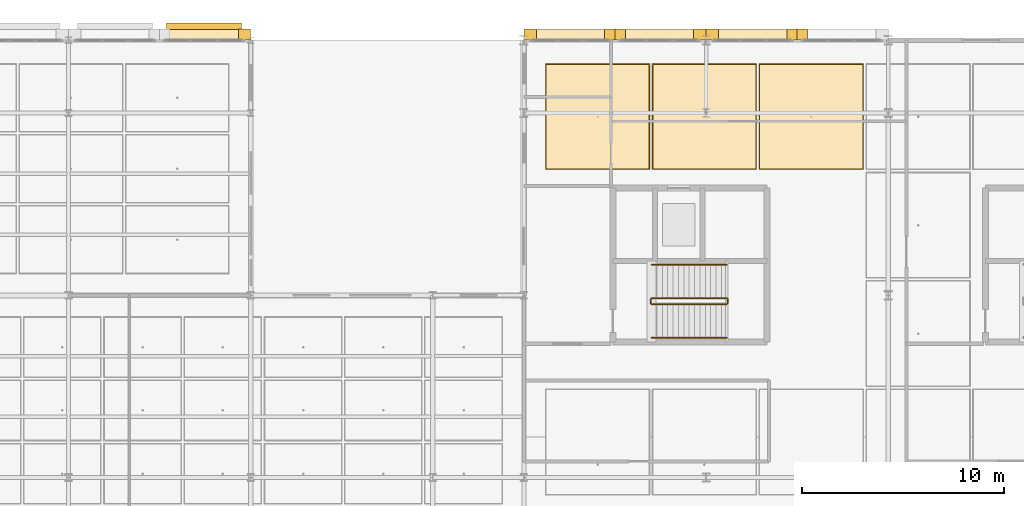
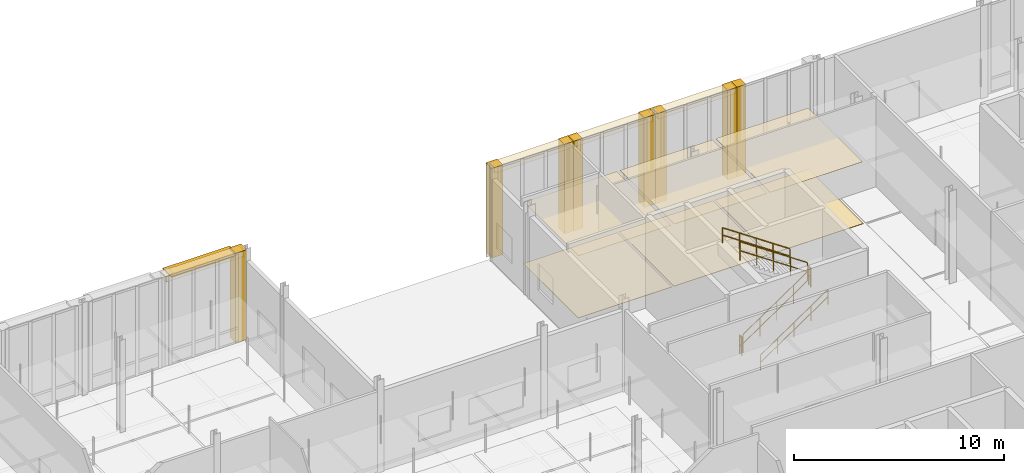
# One storey, part 176 of 180: 18 coverings, 6 railings, 1 shading device.
"""IFC4 building model written with IfcOpenShell, lengths in metres."""

from ifc_helpers import new_model, si_unit, direction, frame, origin, origin_2d, place, context, subcontext, project, spatial, rectangle, circle, extrude, material, layer, layer_set, type_object, element, save


model = new_model("IFC4")

# Units and contexts
model_context = context("Model", 3, precision=1e-05, world=origin(), true_north=direction((0.0, 1.0)))
body_context = subcontext(model_context, "Body", "Model", "MODEL_VIEW")
ifc_project = project(units=[si_unit("LENGTHUNIT", "METRE"), si_unit("AREAUNIT", "SQUARE_METRE"), si_unit("VOLUMEUNIT", "CUBIC_METRE"), si_unit("PLANEANGLEUNIT", "RADIAN"), si_unit("MASSUNIT", "GRAM", prefix="KILO"), si_unit("THERMODYNAMICTEMPERATUREUNIT", "KELVIN"), si_unit("POWERUNIT", "WATT")], contexts=[model_context])

# Site, building, storey
site_placement = place(None, origin())
site = spatial("IfcSite", under=ifc_project, at=site_placement, CompositionType="ELEMENT")
building_placement = place(site_placement, origin())
building = spatial("IfcBuilding", under=site, at=building_placement, Name="Tallowbark Science Centre", CompositionType="ELEMENT")
storey_placement = place(building_placement, origin())
storey = spatial("IfcBuildingStorey", under=building, at=storey_placement, Name="L00", CompositionType="ELEMENT", Elevation=0.0)

# Coverings
ifc_material_1 = material(Name="Mineral-Fibre Acoustic Ceiling Tile Grid")
ifc_layer_1 = layer(ifc_material_1, 0.01806640625)
ifc_layer_set_1 = layer_set([ifc_layer_1], Name="Mineral-Fibre Acoustic Ceiling Tile Grid")
covering_type_1 = type_object("IfcCoveringType", Name="CLG-ACT-18", PredefinedType="CEILING", material=ifc_layer_set_1)
for number, where, z_axis, x_axis, name in (
    (1, (116.138916015625, 107.8212890625, 3.591064453125), (0.0, 0.0, 1.0), (1.0, 0.0, 0.0), "Suspended Ceiling L00-422"),
    (2, (121.416748046875, 107.8212890625, 3.591064453125), (0.0, 0.0, 1.0), (1.0, 0.0, 0.0), "Suspended Ceiling L00-424"),
    (3, (126.6943359375, 107.8212890625, 3.591064453125), (0.0, 0.0, 1.0), (1.0, 0.0, 0.0), "Suspended Ceiling L00-426"),
):
    element("IfcCovering", number, at=place(storey_placement, frame(where, z_axis=z_axis, x_axis=x_axis)), inside=storey, type_object=covering_type_1, Name=name, PredefinedType="CEILING", context=body_context, shape_type="SweptSolid", body=[
        extrude(rectangle(XDim=5.097900390625, YDim=5.177001953125, at=origin_2d()), origin(), (0.0, 0.0, 1.0), 0.01806640625),
    ])
ifc_material_2 = material(Name="White Architectural Precast Concrete Grade N40 (40 MPa)", Category="concrete")
ifc_layer_2 = layer(ifc_material_2, 0.1201171875)
ifc_layer_set_2 = layer_set([ifc_layer_2], Name="White Architectural Precast Concrete Grade N40 (40 MPa)")
covering_type_2 = type_object("IfcCoveringType", Name="COV-PRC-CLAD", PredefinedType="CLADDING", material=ifc_layer_set_2)
for number, where, z_axis, x_axis, name in (
    (4, (98.695068359375, 111.8798828125, 0.0), (0.0, 0.0, 1.0), (-1.0, 0.0, 0.0), "Postmodern Deep Precast Pier CW-L00-036-1"),
    (5, (121.195068359375, 111.8798828125, 0.0), (0.0, 0.0, 1.0), (-1.0, 0.0, 0.0), "Postmodern Deep Precast Pier CW-L00-090-1"),
):
    element("IfcCovering", number, at=place(storey_placement, frame(where, z_axis=z_axis, x_axis=x_axis)), inside=storey, type_object=covering_type_2, Name=name, PredefinedType="CLADDING", context=body_context, shape_type="SweptSolid", body=[
        extrude(rectangle(XDim=0.610107421875, YDim=0.56005859375, at=origin_2d()), origin(), (0.0, 0.0, 1.0), 5.219970703125),
    ])
for number, where, z_axis, x_axis, name in (
    (6, (117.2548828125, 111.8798828125, 0.0), (0.0, 0.0, 1.0), (-1.0, 0.0, 0.0), "Postmodern Deep Precast Pier CW-L00-090-2"),
    (7, (116.7451171875, 111.8798828125, 0.0), (0.0, 0.0, 1.0), (-1.0, 0.0, 0.0), "Postmodern Deep Precast Pier CW-L00-091-1"),
):
    element("IfcCovering", number, at=place(storey_placement, frame(where, z_axis=z_axis, x_axis=x_axis)), inside=storey, type_object=covering_type_2, Name=name, PredefinedType="CLADDING", context=body_context, shape_type="SweptSolid", body=[
        extrude(rectangle(XDim=0.510009765625, YDim=0.56005859375, at=origin_2d()), origin(), (0.0, 0.0, 1.0), 5.219970703125),
    ])
covering_1_placement = place(storey_placement, frame((112.804931640625, 111.8798828125, 0.0), z_axis=(0.0, 0.0, 1.0), x_axis=(-1.0, 0.0, 0.0)))
element("IfcCovering", 8, at=covering_1_placement, inside=storey, type_object=covering_type_2, Name="Postmodern Deep Precast Pier CW-L00-091-2", PredefinedType="CLADDING", context=body_context, shape_type="SweptSolid", body=[
    extrude(rectangle(XDim=0.610107421875, YDim=0.56005859375, at=origin_2d()), origin(), (0.0, 0.0, 1.0), 5.219970703125),
])
for number, where, z_axis, x_axis, name in (
    (9, (126.2548828125, 111.8798828125, 0.0), (0.0, 0.0, 1.0), (-1.0, 0.0, 0.0), "Postmodern Deep Precast Pier CW-L00-094-2"),
    (10, (125.7451171875, 111.8798828125, 0.0), (0.0, 0.0, 1.0), (-1.0, 0.0, 0.0), "Postmodern Deep Precast Pier CW-L00-095-1"),
):
    element("IfcCovering", number, at=place(storey_placement, frame(where, z_axis=z_axis, x_axis=x_axis)), inside=storey, type_object=covering_type_2, Name=name, PredefinedType="CLADDING", context=body_context, shape_type="SweptSolid", body=[
        extrude(rectangle(XDim=0.510009765625, YDim=0.56005859375, at=origin_2d()), origin(), (0.0, 0.0, 1.0), 5.219970703125),
    ])
covering_2_placement = place(storey_placement, frame((121.804931640625, 111.8798828125, 0.0), z_axis=(0.0, 0.0, 1.0), x_axis=(-1.0, 0.0, 0.0)))
element("IfcCovering", 11, at=covering_2_placement, inside=storey, type_object=covering_type_2, Name="Postmodern Deep Precast Pier CW-L00-095-2", PredefinedType="CLADDING", context=body_context, shape_type="SweptSolid", body=[
    extrude(rectangle(XDim=0.610107421875, YDim=0.56005859375, at=origin_2d()), origin(), (0.0, 0.0, 1.0), 5.219970703125),
])
ifc_material_3 = material(Name="Vitrified Ochre Terracotta Architectural Rainscreen", Category="masonry")
ifc_layer_3 = layer(ifc_material_3, 0.0380859375)
ifc_layer_set_3 = layer_set([ifc_layer_3], Name="Vitrified Ochre Terracotta Architectural Rainscreen")
covering_type_3 = type_object("IfcCoveringType", Name="COV-TER-CLAD", PredefinedType="CLADDING", material=ifc_layer_set_3)
for number, where, z_axis, x_axis, name in (
    (12, (96.699951171875, 111.860107421875, 4.8701171875), (0.0, 0.0, 1.0), (-1.0, 0.0, 0.0), "Postmodern Terracotta Cornice Band CW-L00-036"),
    (13, (119.199951171875, 111.860107421875, 4.8701171875), (0.0, 0.0, 1.0), (-1.0, 0.0, 0.0), "Postmodern Terracotta Cornice Band CW-L00-090"),
    (14, (114.800048828125, 111.860107421875, 4.8701171875), (0.0, 0.0, 1.0), (-1.0, 0.0, 0.0), "Postmodern Terracotta Cornice Band CW-L00-091"),
    (15, (123.800048828125, 111.860107421875, 4.8701171875), (0.0, 0.0, 1.0), (-1.0, 0.0, 0.0), "Postmodern Terracotta Cornice Band CW-L00-095"),
):
    element("IfcCovering", number, at=place(storey_placement, frame(where, z_axis=z_axis, x_axis=x_axis)), inside=storey, type_object=covering_type_3, Name=name, PredefinedType="CLADDING", context=body_context, shape_type="SweptSolid", body=[
        extrude(rectangle(XDim=4.300048828125, YDim=0.52001953125, at=origin_2d()), origin(), (0.0, 0.0, 1.0), 0.340087890625),
    ])
ifc_material_4 = material(Name="Engineered Blackbutt Gallery Timber Flooring", Category="wood")
ifc_layer_4 = layer(ifc_material_4, 0.02197265625)
ifc_layer_set_4 = layer_set([ifc_layer_4], Name="Engineered Blackbutt Gallery Timber Flooring")
covering_type_4 = type_object("IfcCoveringType", Name="FLR-TIM-22", PredefinedType="FLOORING", material=ifc_layer_set_4)
for number, where, z_axis, x_axis, name in (
    (16, (116.138916015625, 107.8212890625, 0.0), (0.0, 0.0, 1.0), (1.0, 0.0, 0.0), "Floor Finish L00-422"),
    (17, (121.416748046875, 107.8212890625, 0.0), (0.0, 0.0, 1.0), (1.0, 0.0, 0.0), "Floor Finish L00-424"),
    (18, (126.6943359375, 107.8212890625, 0.0), (0.0, 0.0, 1.0), (1.0, 0.0, 0.0), "Floor Finish L00-426"),
):
    element("IfcCovering", number, at=place(storey_placement, frame(where, z_axis=z_axis, x_axis=x_axis)), inside=storey, type_object=covering_type_4, Name=name, PredefinedType="FLOORING", context=body_context, shape_type="SweptSolid", body=[
        extrude(rectangle(XDim=5.15771484375, YDim=5.237060546875, at=origin_2d()), origin(), (0.0, 0.0, 1.0), 0.02197265625),
    ])

# Railings
ifc_material_5 = material(Name="Galvanised Painted Steel and Laminated Glass Balustrade", Category="steel")
ifc_layer_5 = layer(ifc_material_5, 0.070068359375)
ifc_layer_set_5 = layer_set([ifc_layer_5], Name="Galvanised Painted Steel and Laminated Glass Balustrade")
railing_type_1 = type_object("IfcRailingType", Name="RLG-BAL-1150", PredefinedType="BALUSTRADE", material=ifc_layer_set_5)
railing_1_placement = place(storey_placement, frame((118.81005859375, 98.56005859375, 0.179931640625)))
element("IfcRailing", 19, at=railing_1_placement, inside=storey, type_object=railing_type_1, Name="L00 ST-05 stair guard 1", PredefinedType="BALUSTRADE", context=body_context, shape_type="SweptSolid", body=[
    extrude(circle(Radius=0.02392578125, at=origin_2d()), frame((0.0, 0.0, 1.076171875), z_axis=(0.827211917306, 0.0, 0.561890063861), x_axis=(0.0, 1.0, 0.0)), (0.0, 0.0, 1.0), 4.48486328125),
    extrude(circle(Radius=0.02392578125, at=origin_2d()), frame((0.0, 0.0, 0.550048828125), z_axis=(0.827211917306, 0.0, 0.561890063861), x_axis=(0.0, 1.0, 0.0)), (0.0, 0.0, 1.0), 4.48486328125),
    extrude(circle(Radius=0.02099609375, at=origin_2d()), origin(), (0.0, 0.0, 1.0), 1.052001953125),
    extrude(circle(Radius=0.02099609375, at=origin_2d()), frame((0.927490234375, 0.0, 0.6298828125)), (0.0, 0.0, 1.0), 1.052001953125),
    extrude(circle(Radius=0.02099609375, at=origin_2d()), frame((1.85498046875, 0.0, 1.260009765625)), (0.0, 0.0, 1.0), 1.052001953125),
    extrude(circle(Radius=0.02099609375, at=origin_2d()), frame((2.782470703125, 0.0, 1.89013671875)), (0.0, 0.0, 1.0), 1.052001953125),
    extrude(circle(Radius=0.02099609375, at=origin_2d()), frame((3.7099609375, 0.0, 2.52001953125)), (0.0, 0.0, 1.0), 1.052001953125),
])
railing_2_placement = place(storey_placement, frame((122.570068359375, 98.610107421875, 2.699951171875)))
element("IfcRailing", 20, at=railing_2_placement, inside=storey, type_object=railing_type_1, Name="L00 ST-05 stair guard 2", PredefinedType="BALUSTRADE", context=body_context, shape_type="SweptSolid", body=[
    extrude(circle(Radius=0.02392578125, at=origin_2d()), frame((0.0, 0.0, 1.076171875), z_axis=(0.0, 1.0, 0.0), x_axis=(-1.0, 0.0, 0.0)), (0.0, 0.0, 1.0), 0.199951171875),
    extrude(circle(Radius=0.02392578125, at=origin_2d()), frame((0.0, 0.0, 0.550048828125), z_axis=(0.0, 1.0, 0.0), x_axis=(-1.0, 0.0, 0.0)), (0.0, 0.0, 1.0), 0.199951171875),
    extrude(circle(Radius=0.02099609375, at=origin_2d()), origin(), (0.0, 0.0, 1.0), 1.052001953125),
    extrude(circle(Radius=0.02099609375, at=origin_2d()), frame((0.0, 0.199951171875, 0.0)), (0.0, 0.0, 1.0), 1.052001953125),
])
railing_3_placement = place(storey_placement, frame((122.52001953125, 98.860107421875, 2.8798828125)))
element("IfcRailing", 21, at=railing_3_placement, inside=storey, type_object=railing_type_1, Name="L00 ST-05 stair guard 3", PredefinedType="BALUSTRADE", context=body_context, shape_type="SweptSolid", body=[
    extrude(circle(Radius=0.02392578125, at=origin_2d()), frame((0.0, 0.0, 1.076171875), z_axis=(-0.827211917306, 0.0, 0.561890063861), x_axis=(0.0, -1.0, 0.0)), (0.0, 0.0, 1.0), 4.48486328125),
    extrude(circle(Radius=0.02392578125, at=origin_2d()), frame((0.0, 0.0, 0.550048828125), z_axis=(-0.827211917306, 0.0, 0.561890063861), x_axis=(0.0, -1.0, 0.0)), (0.0, 0.0, 1.0), 4.48486328125),
    extrude(circle(Radius=0.02099609375, at=origin_2d()), origin(), (0.0, 0.0, 1.0), 1.052001953125),
    extrude(circle(Radius=0.02099609375, at=origin_2d()), frame((-0.927490234375, 0.0, 0.6298828125)), (0.0, 0.0, 1.0), 1.052001953125),
    extrude(circle(Radius=0.02099609375, at=origin_2d()), frame((-1.85498046875, 0.0, 1.260009765625)), (0.0, 0.0, 1.0), 1.052001953125),
    extrude(circle(Radius=0.02099609375, at=origin_2d()), frame((-2.782470703125, 0.0, 1.89013671875)), (0.0, 0.0, 1.0), 1.052001953125),
    extrude(circle(Radius=0.02099609375, at=origin_2d()), frame((-3.7099609375, 0.0, 2.52001953125)), (0.0, 0.0, 1.0), 1.052001953125),
])
railing_4_placement = place(storey_placement, frame((118.760009765625, 98.610107421875, 0.0)))
element("IfcRailing", 22, at=railing_4_placement, inside=storey, type_object=railing_type_1, Name="L00 ST-05 stair guard 4", PredefinedType="BALUSTRADE", context=body_context, shape_type="SweptSolid", body=[
    extrude(circle(Radius=0.02392578125, at=origin_2d()), frame((0.0, 0.0, 1.076171875), z_axis=(0.0, 1.0, 0.0), x_axis=(-1.0, 0.0, 0.0)), (0.0, 0.0, 1.0), 0.199951171875),
    extrude(circle(Radius=0.02392578125, at=origin_2d()), frame((0.0, 0.0, 0.550048828125), z_axis=(0.0, 1.0, 0.0), x_axis=(-1.0, 0.0, 0.0)), (0.0, 0.0, 1.0), 0.199951171875),
    extrude(circle(Radius=0.02099609375, at=origin_2d()), origin(), (0.0, 0.0, 1.0), 1.052001953125),
    extrude(circle(Radius=0.02099609375, at=origin_2d()), frame((0.0, 0.199951171875, 0.0)), (0.0, 0.0, 1.0), 1.052001953125),
])
ifc_material_6 = material(Name="Brushed Grade 316 Stainless Steel Handrail", Category="steel")
ifc_layer_6 = layer(ifc_material_6, 0.050048828125)
ifc_layer_set_6 = layer_set([ifc_layer_6], Name="Brushed Grade 316 Stainless Steel Handrail")
railing_type_2 = type_object("IfcRailingType", Name="RLG-HDR-950", PredefinedType="HANDRAIL", material=ifc_layer_set_6)
railing_5_placement = place(storey_placement, frame((118.81005859375, 96.89990234375, 0.179931640625)))
element("IfcRailing", 23, at=railing_5_placement, inside=storey, type_object=railing_type_2, Name="L00 ST-05 stair handrail 1", PredefinedType="HANDRAIL", context=body_context, shape_type="SweptSolid", body=[
    extrude(circle(Radius=0.02392578125, at=origin_2d()), frame((0.0, 0.0, 0.8759765625), z_axis=(0.827211917306, 0.0, 0.561890063861), x_axis=(0.0, 1.0, 0.0)), (0.0, 0.0, 1.0), 4.48486328125),
    extrude(circle(Radius=0.02392578125, at=origin_2d()), frame((0.0, 0.0, 0.449951171875), z_axis=(0.827211917306, 0.0, 0.561890063861), x_axis=(0.0, 1.0, 0.0)), (0.0, 0.0, 1.0), 4.48486328125),
    extrude(circle(Radius=0.02099609375, at=origin_2d()), origin(), (0.0, 0.0, 1.0), 0.851806640625),
    extrude(circle(Radius=0.02099609375, at=origin_2d()), frame((0.927490234375, 0.0, 0.6298828125)), (0.0, 0.0, 1.0), 0.851806640625),
    extrude(circle(Radius=0.02099609375, at=origin_2d()), frame((1.85498046875, 0.0, 1.260009765625)), (0.0, 0.0, 1.0), 0.851806640625),
    extrude(circle(Radius=0.02099609375, at=origin_2d()), frame((2.782470703125, 0.0, 1.89013671875)), (0.0, 0.0, 1.0), 0.851806640625),
    extrude(circle(Radius=0.02099609375, at=origin_2d()), frame((3.7099609375, 0.0, 2.52001953125)), (0.0, 0.0, 1.0), 0.851806640625),
])
railing_6_placement = place(storey_placement, frame((122.52001953125, 100.52001953125, 2.8798828125)))
element("IfcRailing", 24, at=railing_6_placement, inside=storey, type_object=railing_type_2, Name="L00 ST-05 stair handrail 2", PredefinedType="HANDRAIL", context=body_context, shape_type="SweptSolid", body=[
    extrude(circle(Radius=0.02392578125, at=origin_2d()), frame((0.0, 0.0, 0.8759765625), z_axis=(-0.827211917306, 0.0, 0.561890063861), x_axis=(0.0, -1.0, 0.0)), (0.0, 0.0, 1.0), 4.48486328125),
    extrude(circle(Radius=0.02392578125, at=origin_2d()), frame((0.0, 0.0, 0.449951171875), z_axis=(-0.827211917306, 0.0, 0.561890063861), x_axis=(0.0, -1.0, 0.0)), (0.0, 0.0, 1.0), 4.48486328125),
    extrude(circle(Radius=0.02099609375, at=origin_2d()), origin(), (0.0, 0.0, 1.0), 0.851806640625),
    extrude(circle(Radius=0.02099609375, at=origin_2d()), frame((-0.927490234375, 0.0, 0.6298828125)), (0.0, 0.0, 1.0), 0.851806640625),
    extrude(circle(Radius=0.02099609375, at=origin_2d()), frame((-1.85498046875, 0.0, 1.260009765625)), (0.0, 0.0, 1.0), 0.851806640625),
    extrude(circle(Radius=0.02099609375, at=origin_2d()), frame((-2.782470703125, 0.0, 1.89013671875)), (0.0, 0.0, 1.0), 0.851806640625),
    extrude(circle(Radius=0.02099609375, at=origin_2d()), frame((-3.7099609375, 0.0, 2.52001953125)), (0.0, 0.0, 1.0), 0.851806640625),
])

# Shading device
ifc_material_7 = material(Name="Terracotta-Anodised Extruded Aluminium Sunshade Blade", Category="masonry")
ifc_layer_7 = layer(ifc_material_7, 0.054931640625)
ifc_layer_set_7 = layer_set([ifc_layer_7], Name="Terracotta-Anodised Extruded Aluminium Sunshade Blade")
shading_device_type = type_object("IfcShadingDeviceType", Name="SHD-LVR-300", PredefinedType="AWNING", material=ifc_layer_set_7)
shading_device_placement = place(storey_placement, frame((96.699951171875, 112.02001953125, 5.03271484375), z_axis=(0.0, 0.0, 1.0), x_axis=(-1.0, 0.0, 0.0)))
element("IfcShadingDevice", 25, at=shading_device_placement, inside=storey, type_object=shading_device_type, Name="Horizontal Solar Louvre Hood CW-L00-036", PredefinedType="AWNING", context=body_context, shape_type="SweptSolid", body=[
    extrude(rectangle(XDim=3.699951171875, YDim=0.840087890625, at=origin_2d()), origin(), (0.0, 0.0, 1.0), 0.054931640625),
])

save(model, "model.ifc")
